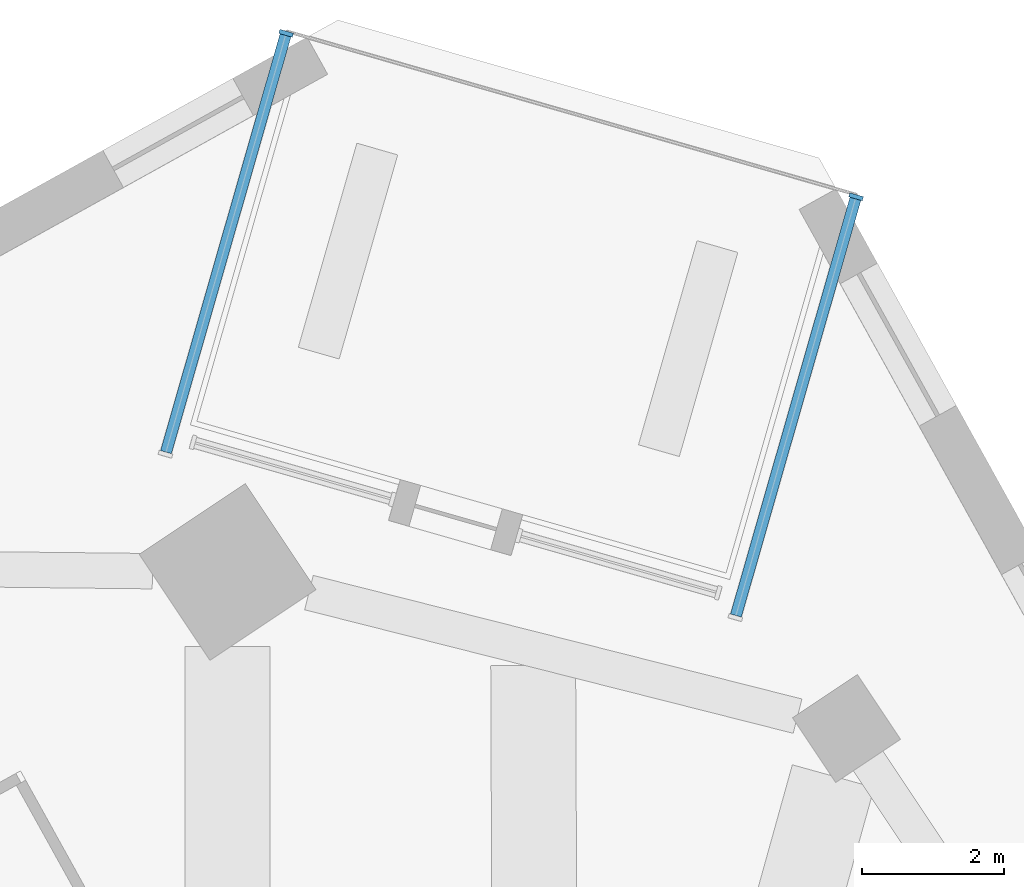
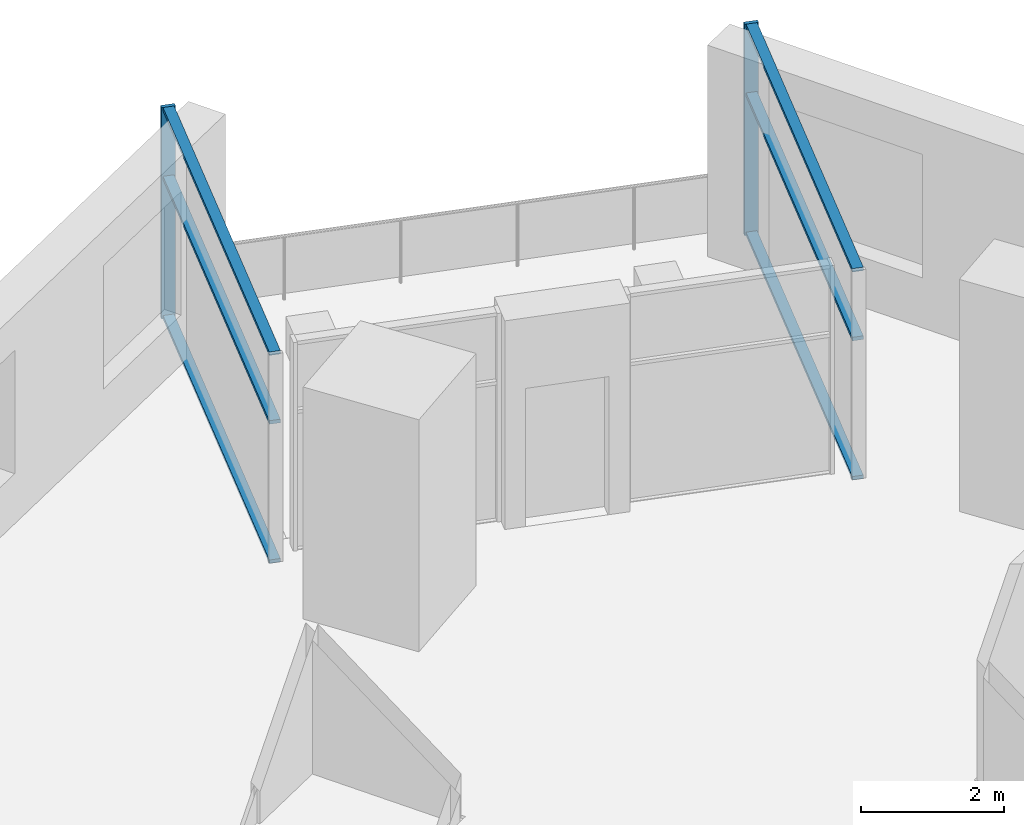
# One storey, part 3 of 12: 8 members, 2 elements without a shape of their own.
"""IFC4 building model written with IfcOpenShell, lengths in metres."""

import ifcopenshell
import ifcopenshell.guid

model = None  # the IFC model being written
_history = None  # IfcOwnerHistory: only IFC2X3 demands one
_inside = {}  # id of a spatial element -> (the spatial element, [elements in it])
_under = {}  # id of a project, library or spatial element -> (it, [spatial elements below it])
_declared = {}  # id of a project -> (the project, [libraries it declares])
_typed = {}  # id of a type object -> (the type object, [elements of that type])
_made_of = {}  # id of a material, layer set ... -> (it, [elements and type objects made of it])


def new_model(schema):
    """Start an empty IFC model of exactly this schema.

    Asked for "IFC4X3", IfcOpenShell would pick the latest addendum, in which some entities
    have other attributes; the version numbers below select the first issue.
    IFC2X3 requires an IfcOwnerHistory on every rooted entity: one is made here for all.
    """
    global model, _history
    if schema == "IFC4X3":
        model = ifcopenshell.file(schema_version=(4, 3, 0, 0))
    else:
        model = ifcopenshell.file(schema=schema)
    _inside.clear()
    _under.clear()
    _declared.clear()
    _typed.clear()
    _made_of.clear()
    _history = None
    if model.schema == "IFC2X3":
        org = make("IfcOrganization", Name="unknown")
        user = make(
            "IfcPersonAndOrganization",
            ThePerson=make("IfcPerson", FamilyName="unknown"),
            TheOrganization=org,
        )
        app = make(
            "IfcApplication",
            ApplicationDeveloper=org,
            Version="unknown",
            ApplicationFullName="unknown",
            ApplicationIdentifier="unknown",
        )
        _history = make(
            "IfcOwnerHistory",
            OwningUser=user,
            OwningApplication=app,
            ChangeAction="ADDED",
            CreationDate=0,
        )
    return model


def make(cls, **values):
    """One entity of the class cls with the attributes given. An attribute that is None is left unset."""
    return model.create_entity(
        cls, **{name: value for name, value in values.items() if value is not None}
    )


def rooted(cls, **values):
    """An entity with a GlobalId (a new one), such as an element, a storey or a relation."""
    return make(cls, GlobalId=ifcopenshell.guid.new(), OwnerHistory=_history, **values)


def si_unit(unit_type, name, prefix=None):
    """IfcSIUnit, for example si_unit("LENGTHUNIT", "METRE", prefix="MILLI")."""
    return make("IfcSIUnit", UnitType=unit_type, Prefix=prefix, Name=name)


def assignment(units):
    """IfcUnitAssignment: the units of a project."""
    return None if units is None else make("IfcUnitAssignment", Units=units)


def point(xyz):
    """IfcCartesianPoint."""
    return None if xyz is None else make("IfcCartesianPoint", Coordinates=xyz)


def direction(xyz):
    """IfcDirection."""
    return None if xyz is None else make("IfcDirection", DirectionRatios=xyz)


def frame(location, z_axis=None, x_axis=None):
    """IfcAxis2Placement3D, a coordinate frame: its origin and axes. An axis left out is left unset."""
    return make(
        "IfcAxis2Placement3D",
        Location=point(location),
        Axis=direction(z_axis),
        RefDirection=direction(x_axis),
    )


def frame_2d(location, x_axis=None):
    """IfcAxis2Placement2D, a coordinate frame in the plane: its origin and x axis."""
    return make(
        "IfcAxis2Placement2D", Location=point(location), RefDirection=direction(x_axis)
    )


def origin():
    """The frame at (0, 0, 0) with its axes left unset."""
    return frame((0.0, 0.0, 0.0))


def origin_2d():
    """The frame at (0, 0) in the plane with its x axis left unset."""
    return frame_2d((0.0, 0.0))


def place(relative_to, where):
    """IfcLocalPlacement: puts the frame where relative to a parent placement (None: the world)."""
    return make(
        "IfcLocalPlacement", PlacementRelTo=relative_to, RelativePlacement=where
    )


def context(
    kind, dimensions, precision=None, world=None, true_north=None, identifier=None
):
    """IfcGeometricRepresentationContext, for example the 3D "Model" context."""
    return make(
        "IfcGeometricRepresentationContext",
        ContextIdentifier=identifier,
        ContextType=kind,
        CoordinateSpaceDimension=dimensions,
        Precision=precision,
        WorldCoordinateSystem=world,
        TrueNorth=true_north,
    )


def subcontext(parent, identifier, kind, view, scale=None):
    """IfcGeometricRepresentationSubContext, for example "Body" below "Model"."""
    return make(
        "IfcGeometricRepresentationSubContext",
        ContextIdentifier=identifier,
        ContextType=kind,
        ParentContext=parent,
        TargetScale=scale,
        TargetView=view,
    )


def project(units=None, contexts=None):
    """IfcProject with its units and contexts."""
    return rooted(
        "IfcProject",
        Name="project",
        RepresentationContexts=contexts,
        UnitsInContext=assignment(units),
    )


def spatial(cls, under=None, at=None, **own):
    """A site, building, storey or space (cls), placed at a placement, below another one or the project."""
    s = rooted(cls, ObjectPlacement=at, **own)
    if under is not None:
        _under.setdefault(under.id(), (under, []))[1].append(s)
    return s


def profile(cls, at=None, kind="AREA", **sizes):
    """A parametric profile (cls). Its sizes go by their IFC names, for example OverallWidth=200.0."""
    return make(cls, ProfileType=kind, Position=at, **sizes)


def rectangle(**sizes):
    """IfcRectangleProfileDef."""
    return profile("IfcRectangleProfileDef", **sizes)


def extrude(swept, where, along, depth):
    """IfcExtrudedAreaSolid: the profile swept, set in the frame where, extruded along a direction by depth."""
    return make(
        "IfcExtrudedAreaSolid",
        SweptArea=swept,
        Position=where,
        ExtrudedDirection=direction(along),
        Depth=depth,
    )


def shape(context_of_items, identifier, shape_type, items):
    """IfcShapeRepresentation: the items that make up one representation, for example the "Body"."""
    return make(
        "IfcShapeRepresentation",
        ContextOfItems=context_of_items,
        RepresentationIdentifier=identifier,
        RepresentationType=shape_type,
        Items=items,
    )


def material(Name=None, Category=None):
    """IfcMaterial."""
    return make("IfcMaterial", Name=Name, Category=Category)


def material_profile(
    of_material, cross_section, Name=None, Category=None, Priority=None
):
    """IfcMaterialProfile: a cross section and its material."""
    return make(
        "IfcMaterialProfile",
        Name=Name,
        Material=of_material,
        Profile=cross_section,
        Priority=Priority,
        Category=Category,
    )


def profile_set(profiles, Name=None, composite=None):
    """IfcMaterialProfileSet."""
    return make(
        "IfcMaterialProfileSet",
        Name=Name,
        MaterialProfiles=profiles,
        CompositeProfile=composite,
    )


def made_of(thing, what):
    """Note that an element or type object is made of a material, layer set ...; save() writes the relation."""
    if what is not None:
        _made_of.setdefault(what.id(), (what, []))[1].append(thing)
    return thing


def type_object(cls, material=None, **own):
    """A type object (cls), such as IfcWallType, which elements share."""
    return made_of(rooted(cls, **own), material)


def element(
    cls,
    number,
    at=None,
    inside=None,
    cuts=None,
    type_object=None,
    material=None,
    context=None,
    identifier="Body",
    shape_type=None,
    held_by="IfcProductDefinitionShape",
    body=None,
    shapes=None,
    **own,
):
    """One element of the class cls, such as IfcWall. Its Tag is "e" and its number.

    at: its placement. inside: the storey or other place that contains it. cuts: it is an
    opening in that element (IfcRelVoidsElement). A single representation is given by context,
    identifier, shape_type and body (its items); several are given by shapes. held_by: the class
    of the entity that holds the representations. save() writes the other relations.
    """
    e = rooted(cls, Tag="e%d" % number, ObjectPlacement=at, **own)
    if body is not None:
        shapes = [shape(context, identifier, shape_type, body)]
    if shapes is not None:
        e.Representation = make(held_by, Representations=shapes)
    if inside is not None:
        _inside.setdefault(inside.id(), (inside, []))[1].append(e)
    if cuts is not None:
        rooted(
            "IfcRelVoidsElement", RelatingBuildingElement=cuts, RelatedOpeningElement=e
        )
    if type_object is not None:
        _typed.setdefault(type_object.id(), (type_object, []))[1].append(e)
    return made_of(e, material)


def aggregate(whole, parts):
    """IfcRelAggregates: a whole, such as a stair, and the parts it consists of."""
    return rooted("IfcRelAggregates", RelatingObject=whole, RelatedObjects=parts)


def save(model, path):
    """Write the relations noted so far, then the file.

    IfcRelAggregates (storeys below a building ...), IfcRelContainedInSpatialStructure (elements
    in a storey), IfcRelDefinesByType, IfcRelAssociatesMaterial and IfcRelDeclares: one each for
    every whole, place, type object, material and project.
    """
    for whole, parts in _under.values():
        aggregate(whole, parts)
    for where, things in _inside.values():
        rooted(
            "IfcRelContainedInSpatialStructure",
            RelatedElements=things,
            RelatingStructure=where,
        )
    for kind, things in _typed.values():
        rooted("IfcRelDefinesByType", RelatedObjects=things, RelatingType=kind)
    for what, things in _made_of.values():
        rooted("IfcRelAssociatesMaterial", RelatedObjects=things, RelatingMaterial=what)
    for by, libraries in _declared.values():
        rooted("IfcRelDeclares", RelatingContext=by, RelatedDefinitions=libraries)
    model.write(path)


model = new_model("IFC4")

# Units and contexts
model_context = context("Model", 3, precision=1e-05, world=origin(), true_north=direction((0.0, 1.0)))
body_context = subcontext(model_context, "Body", "Model", "MODEL_VIEW")
ifc_project = project(units=[si_unit("LENGTHUNIT", "METRE"), si_unit("AREAUNIT", "SQUARE_METRE"), si_unit("VOLUMEUNIT", "CUBIC_METRE"), si_unit("PLANEANGLEUNIT", "RADIAN"), si_unit("MASSUNIT", "GRAM", prefix="KILO")], contexts=[model_context])

# Site, building, storey
site_placement = place(None, origin())
site = spatial("IfcSite", under=ifc_project, at=site_placement, CompositionType="ELEMENT")
building_placement = place(site_placement, origin())
building = spatial("IfcBuilding", under=site, at=building_placement, Name="Dilmun Exchange Tower", CompositionType="ELEMENT")
storey_placement = place(building_placement, frame((0.0, 0.0, 139.699951171875)))
storey = spatial("IfcBuildingStorey", under=building, at=storey_placement, Name="L32", CompositionType="ELEMENT", Elevation=139.699951171875)

# Curtain wall, member
ifc_material_1 = material(Name="Anodised aluminium and clear glass", Category="aluminium")
curtain_wall_type = type_object("IfcCurtainWallType", Name="Garden corner glazing", PredefinedType="NOTDEFINED", material=ifc_material_1)
curtain_wall_1_placement = place(storey_placement, origin())
curtain_wall_1 = element("IfcCurtainWall", 1, at=curtain_wall_1_placement, inside=storey, type_object=curtain_wall_type, Name="Garden corner glazing run GC1.1", PredefinedType="NOTDEFINED")
ifc_material_2 = material(Name="Anodised aluminium", Category="aluminium")
ifc_material_profile_1 = material_profile(ifc_material_2, rectangle(XDim=0.199951171875, YDim=0.06005859375, at=origin_2d()), Name="AL 60x200")
ifc_profile_set_1 = profile_set([ifc_material_profile_1], Name="Anodised aluminium")
member_type_1 = type_object("IfcMemberType", Name="Garden corner glazing mullion 60 x 200", PredefinedType="MULLION", material=ifc_profile_set_1)
member_1_placement = place(storey_placement, frame((16.38623046875, 32.712158203125, 0.0), z_axis=(0.0, 0.0, 1.0), x_axis=(0.961263137899, -0.275632327054, 0.0)))
member_1 = element("IfcMember", 2, at=member_1_placement, type_object=member_type_1, Name="GC1.1 mullion 1", PredefinedType="MULLION", context=body_context, shape_type="SweptSolid", body=[
    extrude(rectangle(XDim=0.199951171875, YDim=0.06005859375, at=origin_2d()), origin(), (0.0, 0.0, 1.0), 3.60009765625),
])

curtain_wall_2_placement = place(storey_placement, origin())
curtain_wall_2 = element("IfcCurtainWall", 3, at=curtain_wall_2_placement, inside=storey, type_object=curtain_wall_type, Name="Garden corner glazing run GC3.1", PredefinedType="NOTDEFINED")
member_2_placement = place(storey_placement, frame((8.33251953125, 35.021728515625, 0.0), z_axis=(0.0, 0.0, 1.0), x_axis=(-0.961264354152, 0.275628085354, 0.0)))
member_2 = element("IfcMember", 4, at=member_2_placement, type_object=member_type_1, Name="GC3.1 mullion 2", PredefinedType="MULLION", context=body_context, shape_type="SweptSolid", body=[
    extrude(rectangle(XDim=0.199951171875, YDim=0.06005859375, at=origin_2d()), origin(), (0.0, 0.0, 1.0), 3.60009765625),
])

# Member
ifc_material_profile_2 = material_profile(ifc_material_2, rectangle(XDim=0.159912109375, YDim=0.06005859375, at=origin_2d()), Name="AL 60x160")
ifc_profile_set_2 = profile_set([ifc_material_profile_2], Name="Anodised aluminium")
member_type_2 = type_object("IfcMemberType", Name="Garden corner glazing transom 60 x 160", PredefinedType="USERDEFINED", material=ifc_profile_set_2)
member_3_placement = place(storey_placement, frame((16.3779296875, 32.683349609375, 0.030029296875), z_axis=(-0.275652621058, -0.96125731857, 0.0), x_axis=(0.96125731857, -0.275652621058, 0.0)))
member_3 = element("IfcMember", 5, at=member_3_placement, type_object=member_type_2, Name="GC1.1 transom 1.1", ObjectType="TRANSOM", PredefinedType="USERDEFINED", context=body_context, shape_type="SweptSolid", body=[
    extrude(rectangle(XDim=0.159912109375, YDim=0.06005859375, at=origin_2d()), origin(), (0.0, 0.0, 1.0), 6.126220703125),
])

member_4_placement = place(storey_placement, frame((16.3779296875, 32.683349609375, 2.400146484375), z_axis=(-0.275652621058, -0.96125731857, 0.0), x_axis=(0.96125731857, -0.275652621058, 0.0)))
member_4 = element("IfcMember", 6, at=member_4_placement, type_object=member_type_2, Name="GC1.1 transom 1.2", ObjectType="TRANSOM", PredefinedType="USERDEFINED", context=body_context, shape_type="SweptSolid", body=[
    extrude(rectangle(XDim=0.159912109375, YDim=0.06005859375, at=origin_2d()), origin(), (0.0, 0.0, 1.0), 6.126220703125),
])

member_5_placement = place(storey_placement, frame((16.3779296875, 32.683349609375, 3.570068359375), z_axis=(-0.275652621058, -0.96125731857, 0.0), x_axis=(0.96125731857, -0.275652621058, 0.0)))
member_5 = element("IfcMember", 7, at=member_5_placement, type_object=member_type_2, Name="GC1.1 transom 1.3", ObjectType="TRANSOM", PredefinedType="USERDEFINED", context=body_context, shape_type="SweptSolid", body=[
    extrude(rectangle(XDim=0.159912109375, YDim=0.06005859375, at=origin_2d()), origin(), (0.0, 0.0, 1.0), 6.126220703125),
])

aggregate(curtain_wall_1, [member_1, member_3, member_4, member_5])

member_6_placement = place(storey_placement, frame((6.6357421875, 29.103759765625, 0.030029296875), z_axis=(0.275605239069, 0.961270904687, 0.0), x_axis=(-0.961270904687, 0.275605239069, 0.0)))
member_6 = element("IfcMember", 8, at=member_6_placement, type_object=member_type_2, Name="GC3.1 transom 1.1", ObjectType="TRANSOM", PredefinedType="USERDEFINED", context=body_context, shape_type="SweptSolid", body=[
    extrude(rectangle(XDim=0.159912109375, YDim=0.06005859375, at=origin_2d()), origin(), (0.0, 0.0, 1.0), 6.12646484375),
])

member_7_placement = place(storey_placement, frame((6.6357421875, 29.103759765625, 2.400146484375), z_axis=(0.275605239069, 0.961270904687, 0.0), x_axis=(-0.961270904687, 0.275605239069, 0.0)))
member_7 = element("IfcMember", 9, at=member_7_placement, type_object=member_type_2, Name="GC3.1 transom 1.2", ObjectType="TRANSOM", PredefinedType="USERDEFINED", context=body_context, shape_type="SweptSolid", body=[
    extrude(rectangle(XDim=0.159912109375, YDim=0.06005859375, at=origin_2d()), origin(), (0.0, 0.0, 1.0), 6.12646484375),
])

member_8_placement = place(storey_placement, frame((6.6357421875, 29.103759765625, 3.570068359375), z_axis=(0.275605239069, 0.961270904687, 0.0), x_axis=(-0.961270904687, 0.275605239069, 0.0)))
member_8 = element("IfcMember", 10, at=member_8_placement, type_object=member_type_2, Name="GC3.1 transom 1.3", ObjectType="TRANSOM", PredefinedType="USERDEFINED", context=body_context, shape_type="SweptSolid", body=[
    extrude(rectangle(XDim=0.159912109375, YDim=0.06005859375, at=origin_2d()), origin(), (0.0, 0.0, 1.0), 6.12646484375),
])

aggregate(curtain_wall_2, [member_2, member_6, member_7, member_8])

save(model, "model.ifc")
